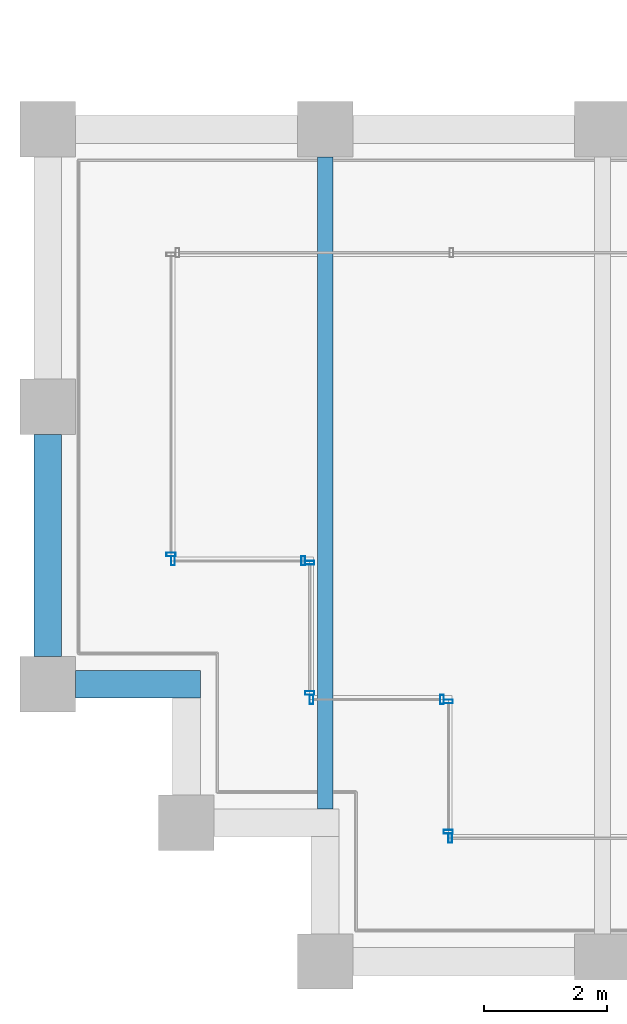
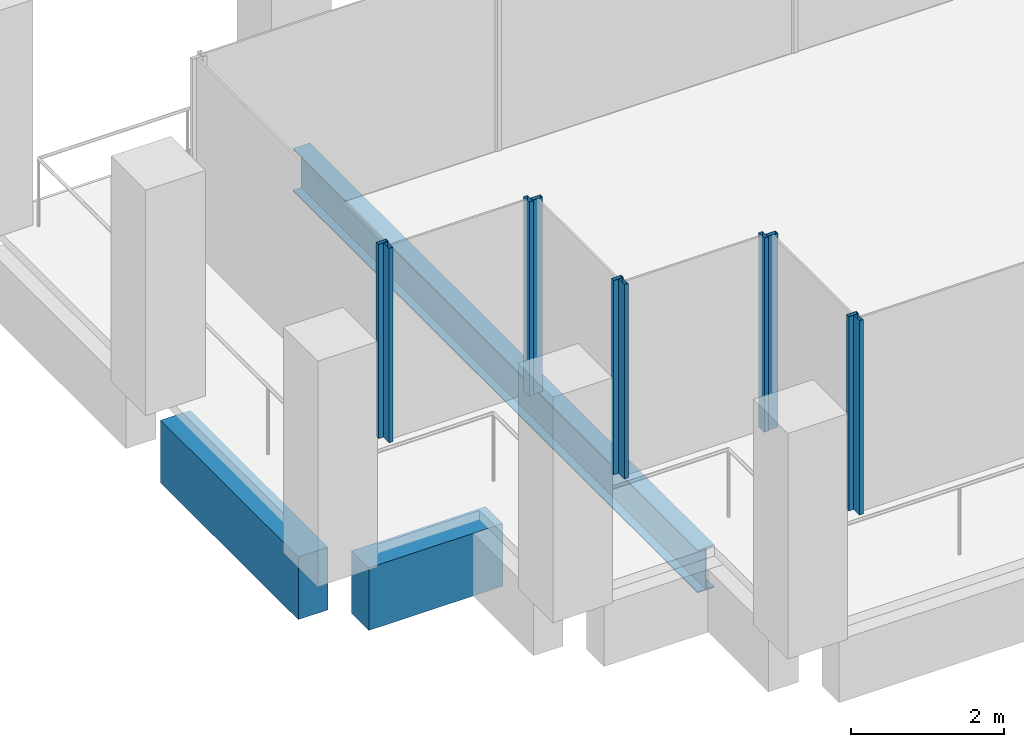
# One storey, part 2 of 40: 10 members, 3 beams, 6 elements without a shape of their own.
"""IFC4 building model written with IfcOpenShell, lengths in metres."""

from ifc_helpers import new_model, si_unit, direction, frame, origin, origin_2d, place, context, subcontext, project, spatial, rectangle, hollow_rectangle, i_section, extrude, material, material_profile, profile_set, type_object, element, aggregate, save


model = new_model("IFC4")

# Units and contexts
model_context = context("Model", 3, precision=1e-05, world=origin(), true_north=direction((0.0, 1.0)))
body_context = subcontext(model_context, "Body", "Model", "MODEL_VIEW")
ifc_project = project(units=[si_unit("LENGTHUNIT", "METRE"), si_unit("AREAUNIT", "SQUARE_METRE"), si_unit("VOLUMEUNIT", "CUBIC_METRE"), si_unit("PLANEANGLEUNIT", "RADIAN"), si_unit("MASSUNIT", "GRAM", prefix="KILO")], contexts=[model_context])

# Site, building, storey
site_placement = place(None, origin())
site = spatial("IfcSite", under=ifc_project, at=site_placement, CompositionType="ELEMENT")
building_placement = place(site_placement, origin())
building = spatial("IfcBuilding", under=site, at=building_placement, Name="Altepetl Exchange Towers", CompositionType="ELEMENT")
storey_placement = place(building_placement, frame((0.0, 0.0, 179.800048828125)))
storey = spatial("IfcBuildingStorey", under=building, at=storey_placement, Name="L45", CompositionType="ELEMENT", Elevation=179.800048828125)

# Beam
ifc_material_1 = material(Name="Steel S355", Category="steel")
ifc_material_profile_1 = material_profile(ifc_material_1, i_section(OverallWidth=0.25390625, OverallDepth=0.68408203125, WebThickness=0.012451171875, FlangeThickness=0.018798828125, at=origin_2d()), Name="W27X94")
ifc_profile_set_1 = profile_set([ifc_material_profile_1], Name="Steel S355")
beam_type_1 = type_object("IfcBeamType", Name="Floor beam W27X94", PredefinedType="BEAM", material=ifc_profile_set_1)
beam_1_placement = place(storey_placement, frame((31.5, 29.47509765625, -0.491943359375), z_axis=(0.0, 1.0, 0.0), x_axis=(-1.0, 0.0, 0.0)))
element("IfcBeam", 1, at=beam_1_placement, inside=storey, type_object=beam_type_1, Name="bm:A:L45:012", PredefinedType="BEAM", context=body_context, shape_type="SweptSolid", body=[
    extrude(i_section(OverallWidth=0.25390625, OverallDepth=0.68408203125, WebThickness=0.012451171875, FlangeThickness=0.018798828125, at=origin_2d()), origin(), (0.0, 0.0, 1.0), 10.574951171875),
])

# Curtain wall, member
ifc_material_2 = material(Name="Aluminium 6063-T6 glazing", Category="aluminium")
curtain_wall_type = type_object("IfcCurtainWallType", Name="Loggia glazing system", PredefinedType="NOTDEFINED", material=ifc_material_2)
curtain_wall_1_placement = place(storey_placement, origin())
curtain_wall_1 = element("IfcCurtainWall", 2, at=curtain_wall_1_placement, inside=storey, type_object=curtain_wall_type, Name="CW1 run", PredefinedType="NOTDEFINED")
ifc_material_3 = material(Name="Aluminium 6063-T6", Category="aluminium")
ifc_material_profile_2 = material_profile(ifc_material_3, hollow_rectangle(XDim=0.06005859375, YDim=0.14990234375, WallThickness=0.0029296875, at=origin_2d()), Name="Mullion 60x150 aluminium")
ifc_profile_set_2 = profile_set([ifc_material_profile_2], Name="Aluminium 6063-T6")
member_type = type_object("IfcMemberType", Name="Mullion 60x150 aluminium", PredefinedType="MULLION", material=ifc_profile_set_2)
member_1_placement = place(storey_placement, frame((29.0, 33.60498046875, 0.0), z_axis=(0.0, 0.0, 1.0), x_axis=(0.0, -1.0, 0.0)))
member_1 = element("IfcMember", 3, at=member_1_placement, type_object=member_type, Name="MU1 mullion", PredefinedType="MULLION", context=body_context, shape_type="SweptSolid", body=[
    extrude(hollow_rectangle(XDim=0.06005859375, YDim=0.14990234375, WallThickness=0.0029296875, at=origin_2d()), origin(), (0.0, 0.0, 1.0), 3.099853515625),
])
aggregate(curtain_wall_1, [member_1])

# Curtain wall, members
curtain_wall_2_placement = place(storey_placement, origin())
curtain_wall_2 = element("IfcCurtainWall", 4, at=curtain_wall_2_placement, inside=storey, type_object=curtain_wall_type, Name="CW1 run", PredefinedType="NOTDEFINED")
member_2_placement = place(storey_placement, frame((29.030029296875, 33.5, 0.0)))
member_2 = element("IfcMember", 5, at=member_2_placement, type_object=member_type, Name="MU1 mullion", PredefinedType="MULLION", context=body_context, shape_type="SweptSolid", body=[
    extrude(hollow_rectangle(XDim=0.06005859375, YDim=0.14990234375, WallThickness=0.0029296875, at=origin_2d()), origin(), (0.0, 0.0, 1.0), 3.099853515625),
])
member_3_placement = place(storey_placement, frame((31.14501953125, 33.5, 0.0)))
member_3 = element("IfcMember", 6, at=member_3_placement, type_object=member_type, Name="MU1 mullion", PredefinedType="MULLION", context=body_context, shape_type="SweptSolid", body=[
    extrude(hollow_rectangle(XDim=0.06005859375, YDim=0.14990234375, WallThickness=0.0029296875, at=origin_2d()), origin(), (0.0, 0.0, 1.0), 3.099853515625),
])
aggregate(curtain_wall_2, [member_2, member_3])

curtain_wall_3_placement = place(storey_placement, origin())
curtain_wall_3 = element("IfcCurtainWall", 7, at=curtain_wall_3_placement, inside=storey, type_object=curtain_wall_type, Name="CW1 run", PredefinedType="NOTDEFINED")
member_4_placement = place(storey_placement, frame((31.25, 33.469970703125, 0.0), z_axis=(0.0, 0.0, 1.0), x_axis=(0.0, -1.0, 0.0)))
member_4 = element("IfcMember", 8, at=member_4_placement, type_object=member_type, Name="MU1 mullion", PredefinedType="MULLION", context=body_context, shape_type="SweptSolid", body=[
    extrude(hollow_rectangle(XDim=0.06005859375, YDim=0.14990234375, WallThickness=0.0029296875, at=origin_2d()), origin(), (0.0, 0.0, 1.0), 3.099853515625),
])
member_5_placement = place(storey_placement, frame((31.25, 31.35498046875, 0.0), z_axis=(0.0, 0.0, 1.0), x_axis=(0.0, -1.0, 0.0)))
member_5 = element("IfcMember", 9, at=member_5_placement, type_object=member_type, Name="MU1 mullion", PredefinedType="MULLION", context=body_context, shape_type="SweptSolid", body=[
    extrude(hollow_rectangle(XDim=0.06005859375, YDim=0.14990234375, WallThickness=0.0029296875, at=origin_2d()), origin(), (0.0, 0.0, 1.0), 3.099853515625),
])
aggregate(curtain_wall_3, [member_4, member_5])

curtain_wall_4_placement = place(storey_placement, origin())
curtain_wall_4 = element("IfcCurtainWall", 10, at=curtain_wall_4_placement, inside=storey, type_object=curtain_wall_type, Name="CW1 run", PredefinedType="NOTDEFINED")
member_6_placement = place(storey_placement, frame((31.280029296875, 31.25, 0.0)))
member_6 = element("IfcMember", 11, at=member_6_placement, type_object=member_type, Name="MU1 mullion", PredefinedType="MULLION", context=body_context, shape_type="SweptSolid", body=[
    extrude(hollow_rectangle(XDim=0.06005859375, YDim=0.14990234375, WallThickness=0.0029296875, at=origin_2d()), origin(), (0.0, 0.0, 1.0), 3.099853515625),
])
member_7_placement = place(storey_placement, frame((33.39501953125, 31.25, 0.0)))
member_7 = element("IfcMember", 12, at=member_7_placement, type_object=member_type, Name="MU1 mullion", PredefinedType="MULLION", context=body_context, shape_type="SweptSolid", body=[
    extrude(hollow_rectangle(XDim=0.06005859375, YDim=0.14990234375, WallThickness=0.0029296875, at=origin_2d()), origin(), (0.0, 0.0, 1.0), 3.099853515625),
])
aggregate(curtain_wall_4, [member_6, member_7])

curtain_wall_5_placement = place(storey_placement, origin())
curtain_wall_5 = element("IfcCurtainWall", 13, at=curtain_wall_5_placement, inside=storey, type_object=curtain_wall_type, Name="CW1 run", PredefinedType="NOTDEFINED")
member_8_placement = place(storey_placement, frame((33.5, 31.219970703125, 0.0), z_axis=(0.0, 0.0, 1.0), x_axis=(0.0, -1.0, 0.0)))
member_8 = element("IfcMember", 14, at=member_8_placement, type_object=member_type, Name="MU1 mullion", PredefinedType="MULLION", context=body_context, shape_type="SweptSolid", body=[
    extrude(hollow_rectangle(XDim=0.06005859375, YDim=0.14990234375, WallThickness=0.0029296875, at=origin_2d()), origin(), (0.0, 0.0, 1.0), 3.099853515625),
])
member_9_placement = place(storey_placement, frame((33.5, 29.10498046875, 0.0), z_axis=(0.0, 0.0, 1.0), x_axis=(0.0, -1.0, 0.0)))
member_9 = element("IfcMember", 15, at=member_9_placement, type_object=member_type, Name="MU1 mullion", PredefinedType="MULLION", context=body_context, shape_type="SweptSolid", body=[
    extrude(hollow_rectangle(XDim=0.06005859375, YDim=0.14990234375, WallThickness=0.0029296875, at=origin_2d()), origin(), (0.0, 0.0, 1.0), 3.099853515625),
])
aggregate(curtain_wall_5, [member_8, member_9])

# Curtain wall, member
curtain_wall_6_placement = place(storey_placement, origin())
curtain_wall_6 = element("IfcCurtainWall", 16, at=curtain_wall_6_placement, inside=storey, type_object=curtain_wall_type, Name="CW1 run", PredefinedType="NOTDEFINED")
member_10_placement = place(storey_placement, frame((33.530029296875, 29.0, 0.0)))
member_10 = element("IfcMember", 17, at=member_10_placement, type_object=member_type, Name="MU1 mullion", PredefinedType="MULLION", context=body_context, shape_type="SweptSolid", body=[
    extrude(hollow_rectangle(XDim=0.06005859375, YDim=0.14990234375, WallThickness=0.0029296875, at=origin_2d()), origin(), (0.0, 0.0, 1.0), 3.099853515625),
])
aggregate(curtain_wall_6, [member_10])

# Beams
ifc_material_4 = material(Name="Concrete C50/60 precast with cantera blanca facing", Category="concrete")
ifc_material_profile_3 = material_profile(ifc_material_4, rectangle(XDim=0.449951171875, YDim=1.0, at=origin_2d()), Name="450 x 1000")
ifc_profile_set_3 = profile_set([ifc_material_profile_3], Name="Concrete C50/60 precast with cantera blanca facing")
beam_type_2 = type_object("IfcBeamType", Name="Spandrel beam 450x1000 cantera blanca", PredefinedType="SPANDREL", material=ifc_profile_set_3)
beam_2_placement = place(storey_placement, frame((27.0, 35.550048828125, -0.650146484375), z_axis=(0.0, -1.0, 0.0), x_axis=(1.0, 0.0, 0.0)))
element("IfcBeam", 18, at=beam_2_placement, inside=storey, type_object=beam_type_2, Name="sp:A:L45:037", PredefinedType="SPANDREL", context=body_context, shape_type="SweptSolid", body=[
    extrude(rectangle(XDim=0.449951171875, YDim=1.0, at=origin_2d()), origin(), (0.0, 0.0, 1.0), 3.60009765625),
])
beam_3_placement = place(storey_placement, frame((27.449951171875, 31.5, -0.650146484375), z_axis=(1.0, 0.0, 0.0), x_axis=(0.0, 1.0, 0.0)))
element("IfcBeam", 19, at=beam_3_placement, inside=storey, type_object=beam_type_2, Name="sp:A:L45:038", PredefinedType="SPANDREL", context=body_context, shape_type="SweptSolid", body=[
    extrude(rectangle(XDim=0.449951171875, YDim=1.0, at=origin_2d()), origin(), (0.0, 0.0, 1.0), 2.025146484375),
])

save(model, "model.ifc")
